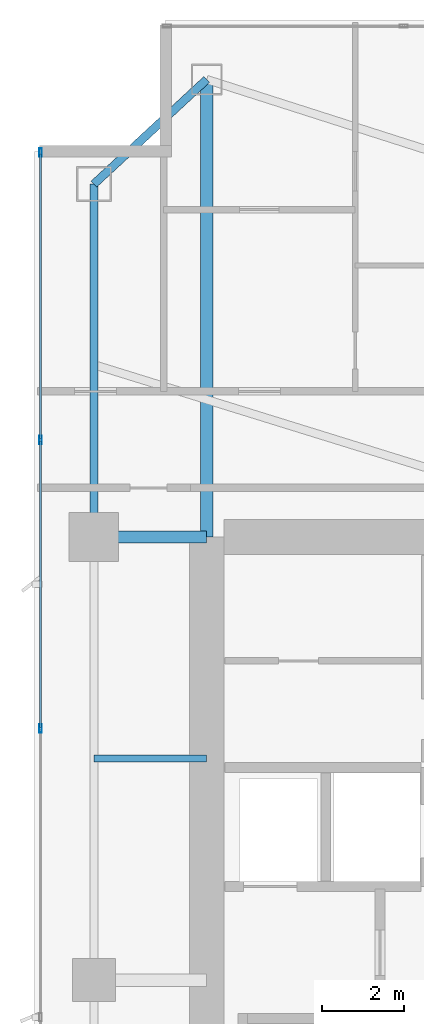
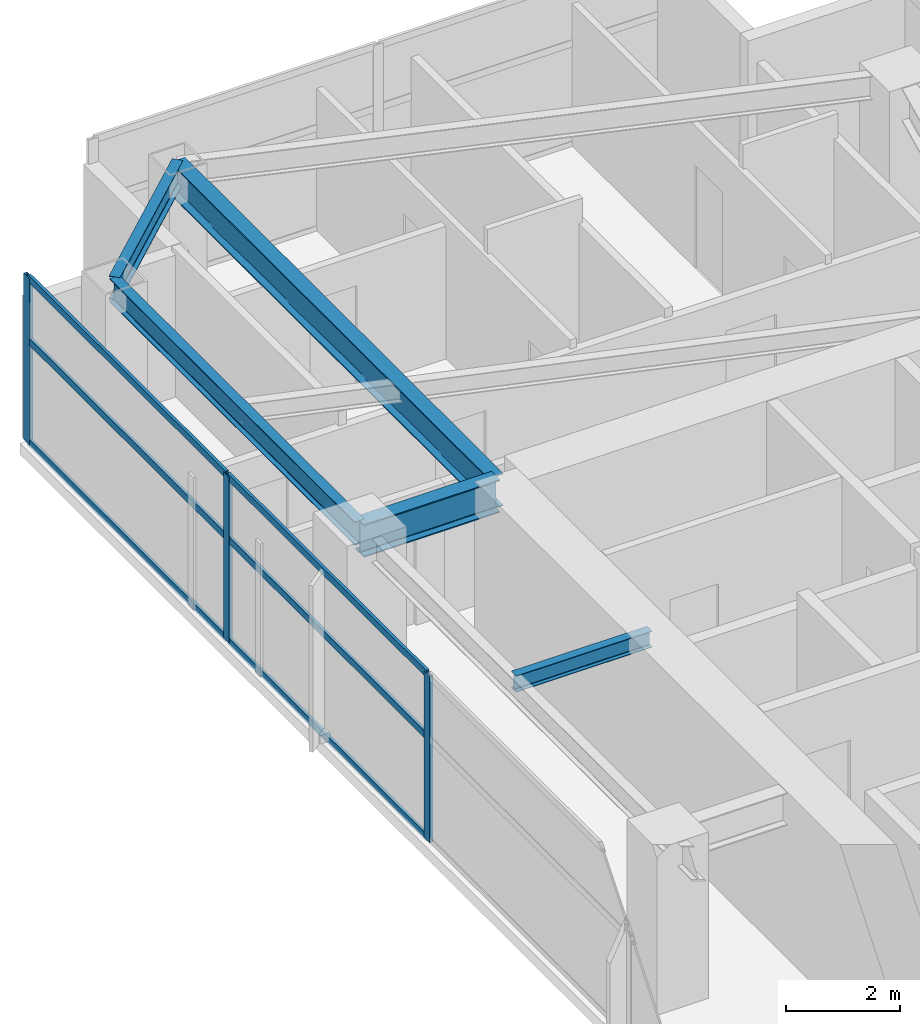
# One storey, part 16 of 28: 9 members, 5 beams, 1 element without a shape of its own.
"""IFC4 building model written with IfcOpenShell, lengths in metres."""

from ifc_helpers import new_model, si_unit, direction, frame, origin, origin_2d, place, context, subcontext, project, spatial, hollow_rectangle, i_section, extrude, material, layer, layer_set, material_profile, profile_set, type_object, element, aggregate, save


model = new_model("IFC4")

# Units and contexts
model_context = context("Model", 3, precision=1e-05, world=origin(), true_north=direction((0.0, 1.0)))
body_context = subcontext(model_context, "Body", "Model", "MODEL_VIEW")
ifc_project = project(units=[si_unit("LENGTHUNIT", "METRE"), si_unit("AREAUNIT", "SQUARE_METRE"), si_unit("VOLUMEUNIT", "CUBIC_METRE"), si_unit("PLANEANGLEUNIT", "RADIAN"), si_unit("MASSUNIT", "GRAM", prefix="KILO")], contexts=[model_context])

# Site, building, storey
site_placement = place(None, origin())
site = spatial("IfcSite", under=ifc_project, at=site_placement, CompositionType="ELEMENT")
building_placement = place(site_placement, origin())
building = spatial("IfcBuilding", under=site, at=building_placement, Name="Calvorn Quay Hotel", CompositionType="ELEMENT")
storey_placement = place(building_placement, frame((0.0, 0.0, 108.800048828125)))
storey = spatial("IfcBuildingStorey", under=building, at=storey_placement, Name="L26", CompositionType="ELEMENT", Elevation=108.800048828125)

# Beams
ifc_material_1 = material(Name="Steel Q390GJC", Category="steel")
ifc_material_profile_1 = material_profile(ifc_material_1, i_section(OverallWidth=0.300048828125, OverallDepth=0.699951171875, WebThickness=0.012939453125, FlangeThickness=0.02392578125, FilletRadius=0.02392578125, at=origin_2d()), Name="HN700x300x13x24")
ifc_profile_set_1 = profile_set([ifc_material_profile_1], Name="Steel Q390GJC")
beam_type_1 = type_object("IfcBeamType", Name="BM-GIRD-MAIN", PredefinedType="BEAM", material=ifc_profile_set_1)
beam_1_placement = place(storey_placement, frame((1.449951171875, 38.39990234375, 3.18994140625), z_axis=(1.0, 0.0, 0.0), x_axis=(0.0, 1.0, 0.0)))
element("IfcBeam", 1, at=beam_1_placement, inside=storey, type_object=beam_type_1, Name="Beam BG-L26-W3", PredefinedType="BEAM", context=body_context, shape_type="SweptSolid", body=[
    extrude(i_section(OverallWidth=0.300048828125, OverallDepth=0.699951171875, WebThickness=0.012939453125, FlangeThickness=0.02392578125, FilletRadius=0.02392578125, at=origin_2d()), origin(), (0.0, 0.0, 1.0), 2.75),
])
beam_2_placement = place(storey_placement, frame((4.199951171875, 49.550048828125, 3.18994140625), z_axis=(0.0, -1.0, 0.0), x_axis=(1.0, 0.0, 0.0)))
element("IfcBeam", 2, at=beam_2_placement, inside=storey, type_object=beam_type_1, Name="Beam BG-L26-W5", PredefinedType="BEAM", context=body_context, shape_type="SweptSolid", body=[
    extrude(i_section(OverallWidth=0.300048828125, OverallDepth=0.699951171875, WebThickness=0.012939453125, FlangeThickness=0.02392578125, FilletRadius=0.02392578125, at=origin_2d()), origin(), (0.0, 0.0, 1.0), 11.150146484375),
])
ifc_material_2 = material(Name="Steel Q355B", Category="steel")
ifc_material_profile_2 = material_profile(ifc_material_2, i_section(OverallWidth=0.175048828125, OverallDepth=0.35009765625, WebThickness=0.007080078125, FlangeThickness=0.010986328125, FilletRadius=0.013916015625, at=origin_2d()), Name="HN350x175x7x11")
ifc_profile_set_2 = profile_set([ifc_material_profile_2], Name="Steel Q355B")
beam_type_2 = type_object("IfcBeamType", Name="BM-JOIST-SEC", PredefinedType="JOIST", material=ifc_profile_set_2)
beam_3_placement = place(storey_placement, frame((1.449951171875, 33.0, 3.364990234375), z_axis=(1.0, 0.0, 0.0), x_axis=(0.0, 1.0, 0.0)))
element("IfcBeam", 3, at=beam_3_placement, inside=storey, type_object=beam_type_2, Name="Beam BJ-L26-W4", PredefinedType="JOIST", context=body_context, shape_type="SweptSolid", body=[
    extrude(i_section(OverallWidth=0.175048828125, OverallDepth=0.35009765625, WebThickness=0.007080078125, FlangeThickness=0.010986328125, FilletRadius=0.013916015625, at=origin_2d()), origin(), (0.0, 0.0, 1.0), 2.75),
])
ifc_material_3 = material(Name="Steel Q355B", Category="steel")
ifc_material_profile_3 = material_profile(ifc_material_3, i_section(OverallWidth=0.199951171875, OverallDepth=0.5, WebThickness=0.010009765625, FlangeThickness=0.01611328125, FilletRadius=0.01611328125, at=origin_2d()), Name="HN500x200x10x16")
ifc_profile_set_3 = profile_set([ifc_material_profile_3], Name="Steel Q355B")
beam_type_3 = type_object("IfcBeamType", Name="BM-SPANDREL-Z1", PredefinedType="SPANDREL", material=ifc_profile_set_3)
beam_4_placement = place(storey_placement, frame((1.449951171875, 38.39990234375, 3.2900390625), z_axis=(0.0, 1.0, 0.0), x_axis=(-1.0, 0.0, 0.0)))
element("IfcBeam", 4, at=beam_4_placement, inside=storey, type_object=beam_type_3, Name="Beam BSP-L26-W4", PredefinedType="SPANDREL", context=body_context, shape_type="SweptSolid", body=[
    extrude(i_section(OverallWidth=0.199951171875, OverallDepth=0.5, WebThickness=0.010009765625, FlangeThickness=0.01611328125, FilletRadius=0.01611328125, at=origin_2d()), origin(), (0.0, 0.0, 1.0), 8.60009765625),
])
beam_5_placement = place(storey_placement, frame((1.449951171875, 47.0, 3.2900390625), z_axis=(0.733261665538, 0.679946563969, 0.0), x_axis=(-0.679946563969, 0.733261665538, 0.0)))
element("IfcBeam", 5, at=beam_5_placement, inside=storey, type_object=beam_type_3, Name="Beam BSP-L26-W5", PredefinedType="SPANDREL", context=body_context, shape_type="SweptSolid", body=[
    extrude(i_section(OverallWidth=0.199951171875, OverallDepth=0.5, WebThickness=0.010009765625, FlangeThickness=0.01611328125, FilletRadius=0.01611328125, at=origin_2d()), origin(), (0.0, 0.0, 1.0), 3.75048828125),
])

# Curtain wall, members
ifc_material_4 = material(Name="Pale Anodised Aluminium and Low-E Glass", Category="aluminium")
ifc_layer = layer(ifc_material_4, 0.219970703125)
ifc_layer_set = layer_set([ifc_layer], Name="CW-SYS-Z2")
curtain_wall_type = type_object("IfcCurtainWallType", Name="CW-SYS-Z2", PredefinedType="NOTDEFINED", material=ifc_layer_set)
curtain_wall_placement = place(storey_placement, origin())
curtain_wall = element("IfcCurtainWall", 6, at=curtain_wall_placement, inside=storey, type_object=curtain_wall_type, Name="Tower West Curtain Wall (L26)", PredefinedType="NOTDEFINED")
ifc_material_5 = material(Name="Pale Anodised Aluminium 6063-T6", Category="aluminium")
ifc_material_profile_4 = material_profile(ifc_material_5, hollow_rectangle(XDim=0.070068359375, YDim=0.199951171875, WallThickness=0.00390625, at=origin_2d()), Name="ALU-M200x70x4")
ifc_profile_set_4 = profile_set([ifc_material_profile_4], Name="Pale Anodised Aluminium 6063-T6")
member_type_1 = type_object("IfcMemberType", Name="CW-SYS-Z2-MUL", PredefinedType="MULLION", material=ifc_profile_set_4)
member_1_placement = place(storey_placement, frame((0.14990234375, 33.7333984375, 0.0), z_axis=(0.0, 0.0, 1.0), x_axis=(-1.0, 0.0, 0.0)))
member_1 = element("IfcMember", 7, at=member_1_placement, type_object=member_type_1, Name="CW-L26-W mullion 5", PredefinedType="MULLION", context=body_context, shape_type="SweptSolid", body=[
    extrude(hollow_rectangle(XDim=0.070068359375, YDim=0.199951171875, WallThickness=0.00390625, at=origin_2d()), origin(), (0.0, 0.0, 1.0), 3.56005859375),
])
member_2_placement = place(storey_placement, frame((0.14990234375, 40.7666015625, 0.0), z_axis=(0.0, 0.0, 1.0), x_axis=(-1.0, 0.0, 0.0)))
member_2 = element("IfcMember", 8, at=member_2_placement, type_object=member_type_1, Name="CW-L26-W mullion 6", PredefinedType="MULLION", context=body_context, shape_type="SweptSolid", body=[
    extrude(hollow_rectangle(XDim=0.070068359375, YDim=0.199951171875, WallThickness=0.00390625, at=origin_2d()), origin(), (0.0, 0.0, 1.0), 3.56005859375),
])
member_3_placement = place(storey_placement, frame((0.14990234375, 47.77001953125, 0.0), z_axis=(0.0, 0.0, 1.0), x_axis=(-1.0, 0.0, 0.0)))
member_3 = element("IfcMember", 9, at=member_3_placement, type_object=member_type_1, Name="CW-L26-W mullion 7", PredefinedType="MULLION", context=body_context, shape_type="SweptSolid", body=[
    extrude(hollow_rectangle(XDim=0.070068359375, YDim=0.199951171875, WallThickness=0.00390625, at=origin_2d()), origin(), (0.0, 0.0, 1.0), 3.56005859375),
])
ifc_material_6 = material(Name="Pale Anodised Aluminium 6063-T6", Category="aluminium")
ifc_material_profile_5 = material_profile(ifc_material_6, hollow_rectangle(XDim=0.06005859375, YDim=0.14990234375, WallThickness=0.00341796875, at=origin_2d()), Name="ALU-T150x60x3.5")
ifc_profile_set_5 = profile_set([ifc_material_profile_5], Name="Pale Anodised Aluminium 6063-T6")
member_type_2 = type_object("IfcMemberType", Name="CW-SYS-Z2-TRN", PredefinedType="USERDEFINED", material=ifc_profile_set_5)
member_4_placement = place(storey_placement, frame((0.14990234375, 33.763427734375, 0.030029296875), z_axis=(0.0, 1.0, 0.0), x_axis=(-1.0, 0.0, 0.0)))
member_4 = element("IfcMember", 10, at=member_4_placement, type_object=member_type_2, Name="CW-L26-W transom 5.1", ObjectType="TRANSOM", PredefinedType="USERDEFINED", context=body_context, shape_type="SweptSolid", body=[
    extrude(hollow_rectangle(XDim=0.06005859375, YDim=0.14990234375, WallThickness=0.00341796875, at=origin_2d()), origin(), (0.0, 0.0, 1.0), 6.97314453125),
])
member_5_placement = place(storey_placement, frame((0.14990234375, 33.763427734375, 2.199951171875), z_axis=(0.0, 1.0, 0.0), x_axis=(-1.0, 0.0, 0.0)))
member_5 = element("IfcMember", 11, at=member_5_placement, type_object=member_type_2, Name="CW-L26-W transom 5.2", ObjectType="TRANSOM", PredefinedType="USERDEFINED", context=body_context, shape_type="SweptSolid", body=[
    extrude(hollow_rectangle(XDim=0.06005859375, YDim=0.14990234375, WallThickness=0.00341796875, at=origin_2d()), origin(), (0.0, 0.0, 1.0), 6.97314453125),
])
member_6_placement = place(storey_placement, frame((0.14990234375, 33.763427734375, 3.530029296875), z_axis=(0.0, 1.0, 0.0), x_axis=(-1.0, 0.0, 0.0)))
member_6 = element("IfcMember", 12, at=member_6_placement, type_object=member_type_2, Name="CW-L26-W transom 5.3", ObjectType="TRANSOM", PredefinedType="USERDEFINED", context=body_context, shape_type="SweptSolid", body=[
    extrude(hollow_rectangle(XDim=0.06005859375, YDim=0.14990234375, WallThickness=0.00341796875, at=origin_2d()), origin(), (0.0, 0.0, 1.0), 6.97314453125),
])
member_7_placement = place(storey_placement, frame((0.14990234375, 40.796630859375, 0.030029296875), z_axis=(0.0, 1.0, 0.0), x_axis=(-1.0, 0.0, 0.0)))
member_7 = element("IfcMember", 13, at=member_7_placement, type_object=member_type_2, Name="CW-L26-W transom 6.1", ObjectType="TRANSOM", PredefinedType="USERDEFINED", context=body_context, shape_type="SweptSolid", body=[
    extrude(hollow_rectangle(XDim=0.06005859375, YDim=0.14990234375, WallThickness=0.00341796875, at=origin_2d()), origin(), (0.0, 0.0, 1.0), 6.943359375),
])
member_8_placement = place(storey_placement, frame((0.14990234375, 40.796630859375, 2.199951171875), z_axis=(0.0, 1.0, 0.0), x_axis=(-1.0, 0.0, 0.0)))
member_8 = element("IfcMember", 14, at=member_8_placement, type_object=member_type_2, Name="CW-L26-W transom 6.2", ObjectType="TRANSOM", PredefinedType="USERDEFINED", context=body_context, shape_type="SweptSolid", body=[
    extrude(hollow_rectangle(XDim=0.06005859375, YDim=0.14990234375, WallThickness=0.00341796875, at=origin_2d()), origin(), (0.0, 0.0, 1.0), 6.943359375),
])
member_9_placement = place(storey_placement, frame((0.14990234375, 40.796630859375, 3.530029296875), z_axis=(0.0, 1.0, 0.0), x_axis=(-1.0, 0.0, 0.0)))
member_9 = element("IfcMember", 15, at=member_9_placement, type_object=member_type_2, Name="CW-L26-W transom 6.3", ObjectType="TRANSOM", PredefinedType="USERDEFINED", context=body_context, shape_type="SweptSolid", body=[
    extrude(hollow_rectangle(XDim=0.06005859375, YDim=0.14990234375, WallThickness=0.00341796875, at=origin_2d()), origin(), (0.0, 0.0, 1.0), 6.943359375),
])
aggregate(curtain_wall, [member_1, member_2, member_3, member_4, member_5, member_6, member_7, member_8, member_9])

save(model, "model.ifc")
